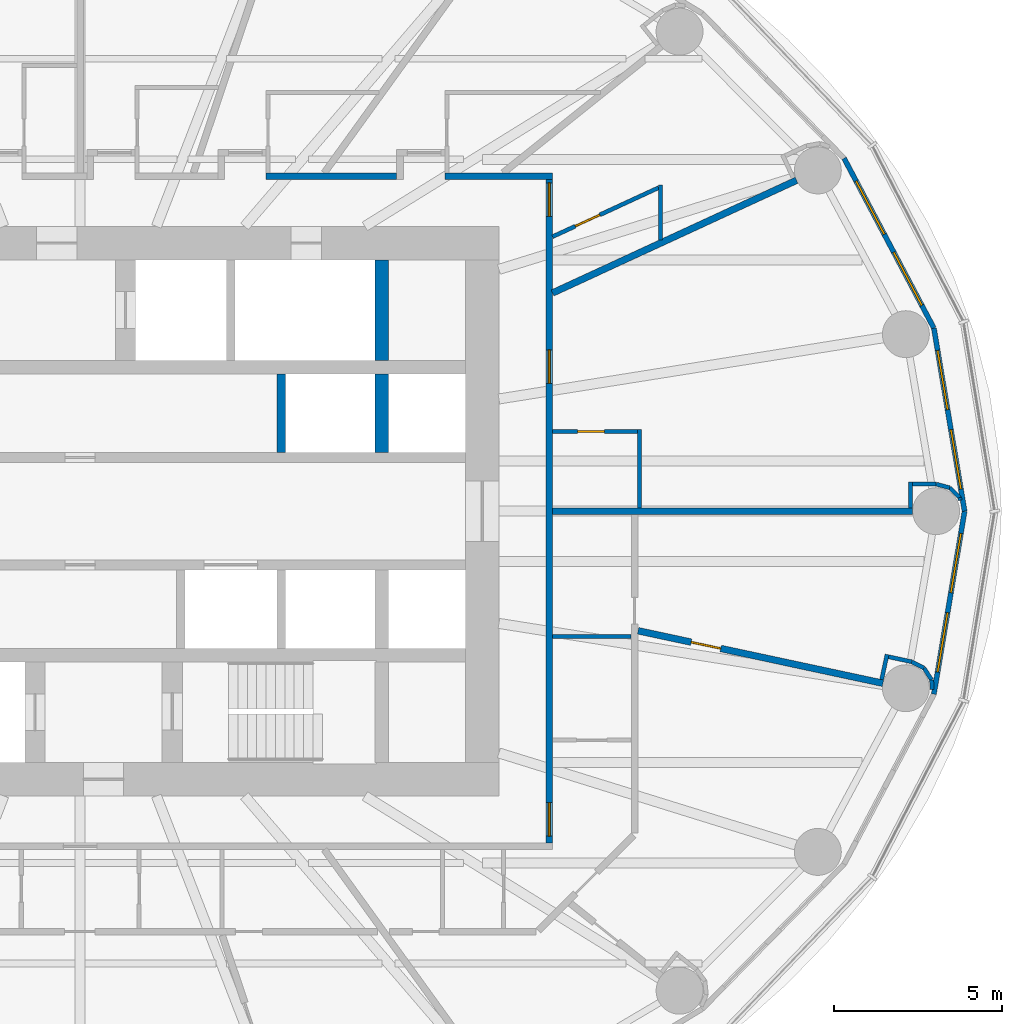
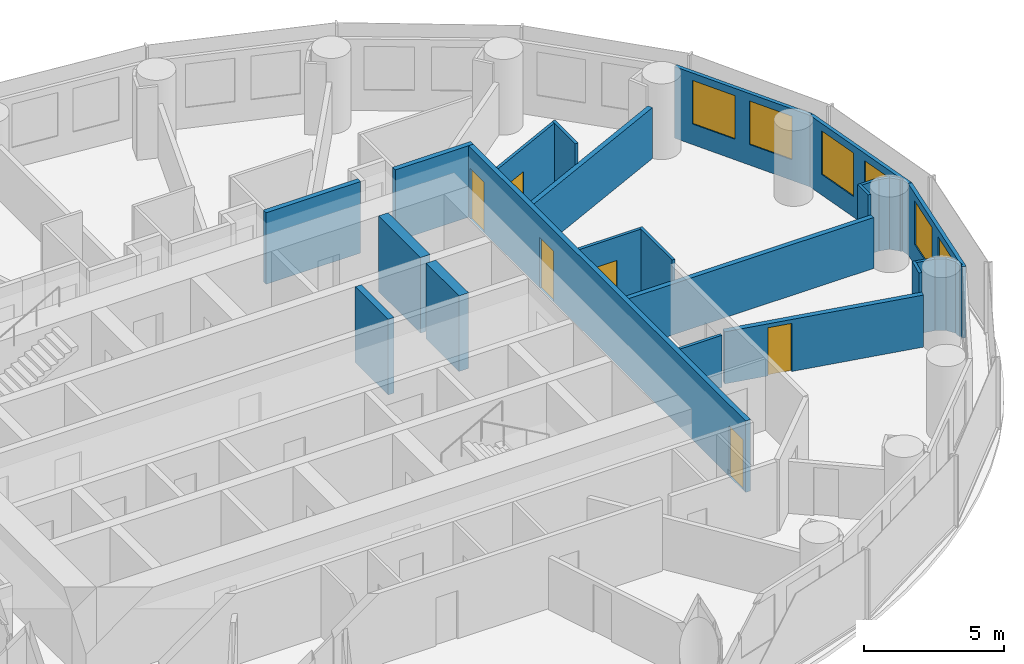
# One storey, part 10 of 14: 27 walls, 6 doors, 6 windows, 12 openings.
"""IFC4 building model written with IfcOpenShell, lengths in metres."""

import ifcopenshell
import ifcopenshell.guid

model = None  # the IFC model being written
_history = None  # IfcOwnerHistory: only IFC2X3 demands one
_inside = {}  # id of a spatial element -> (the spatial element, [elements in it])
_under = {}  # id of a project, library or spatial element -> (it, [spatial elements below it])
_declared = {}  # id of a project -> (the project, [libraries it declares])
_typed = {}  # id of a type object -> (the type object, [elements of that type])
_made_of = {}  # id of a material, layer set ... -> (it, [elements and type objects made of it])


def new_model(schema):
    """Start an empty IFC model of exactly this schema.

    Asked for "IFC4X3", IfcOpenShell would pick the latest addendum, in which some entities
    have other attributes; the version numbers below select the first issue.
    IFC2X3 requires an IfcOwnerHistory on every rooted entity: one is made here for all.
    """
    global model, _history
    if schema == "IFC4X3":
        model = ifcopenshell.file(schema_version=(4, 3, 0, 0))
    else:
        model = ifcopenshell.file(schema=schema)
    _inside.clear()
    _under.clear()
    _declared.clear()
    _typed.clear()
    _made_of.clear()
    _history = None
    if model.schema == "IFC2X3":
        org = make("IfcOrganization", Name="unknown")
        user = make(
            "IfcPersonAndOrganization",
            ThePerson=make("IfcPerson", FamilyName="unknown"),
            TheOrganization=org,
        )
        app = make(
            "IfcApplication",
            ApplicationDeveloper=org,
            Version="unknown",
            ApplicationFullName="unknown",
            ApplicationIdentifier="unknown",
        )
        _history = make(
            "IfcOwnerHistory",
            OwningUser=user,
            OwningApplication=app,
            ChangeAction="ADDED",
            CreationDate=0,
        )
    return model


def make(cls, **values):
    """One entity of the class cls with the attributes given. An attribute that is None is left unset."""
    return model.create_entity(
        cls, **{name: value for name, value in values.items() if value is not None}
    )


def rooted(cls, **values):
    """An entity with a GlobalId (a new one), such as an element, a storey or a relation."""
    return make(cls, GlobalId=ifcopenshell.guid.new(), OwnerHistory=_history, **values)


def si_unit(unit_type, name, prefix=None):
    """IfcSIUnit, for example si_unit("LENGTHUNIT", "METRE", prefix="MILLI")."""
    return make("IfcSIUnit", UnitType=unit_type, Prefix=prefix, Name=name)


def assignment(units):
    """IfcUnitAssignment: the units of a project."""
    return None if units is None else make("IfcUnitAssignment", Units=units)


def point(xyz):
    """IfcCartesianPoint."""
    return None if xyz is None else make("IfcCartesianPoint", Coordinates=xyz)


def direction(xyz):
    """IfcDirection."""
    return None if xyz is None else make("IfcDirection", DirectionRatios=xyz)


def frame(location, z_axis=None, x_axis=None):
    """IfcAxis2Placement3D, a coordinate frame: its origin and axes. An axis left out is left unset."""
    return make(
        "IfcAxis2Placement3D",
        Location=point(location),
        Axis=direction(z_axis),
        RefDirection=direction(x_axis),
    )


def frame_2d(location, x_axis=None):
    """IfcAxis2Placement2D, a coordinate frame in the plane: its origin and x axis."""
    return make(
        "IfcAxis2Placement2D", Location=point(location), RefDirection=direction(x_axis)
    )


def origin():
    """The frame at (0, 0, 0) with its axes left unset."""
    return frame((0.0, 0.0, 0.0))


def place(relative_to, where):
    """IfcLocalPlacement: puts the frame where relative to a parent placement (None: the world)."""
    return make(
        "IfcLocalPlacement", PlacementRelTo=relative_to, RelativePlacement=where
    )


def context(
    kind, dimensions, precision=None, world=None, true_north=None, identifier=None
):
    """IfcGeometricRepresentationContext, for example the 3D "Model" context."""
    return make(
        "IfcGeometricRepresentationContext",
        ContextIdentifier=identifier,
        ContextType=kind,
        CoordinateSpaceDimension=dimensions,
        Precision=precision,
        WorldCoordinateSystem=world,
        TrueNorth=true_north,
    )


def subcontext(parent, identifier, kind, view, scale=None):
    """IfcGeometricRepresentationSubContext, for example "Body" below "Model"."""
    return make(
        "IfcGeometricRepresentationSubContext",
        ContextIdentifier=identifier,
        ContextType=kind,
        ParentContext=parent,
        TargetScale=scale,
        TargetView=view,
    )


def project(units=None, contexts=None):
    """IfcProject with its units and contexts."""
    return rooted(
        "IfcProject",
        Name="project",
        RepresentationContexts=contexts,
        UnitsInContext=assignment(units),
    )


def spatial(cls, under=None, at=None, **own):
    """A site, building, storey or space (cls), placed at a placement, below another one or the project."""
    s = rooted(cls, ObjectPlacement=at, **own)
    if under is not None:
        _under.setdefault(under.id(), (under, []))[1].append(s)
    return s


def profile(cls, at=None, kind="AREA", **sizes):
    """A parametric profile (cls). Its sizes go by their IFC names, for example OverallWidth=200.0."""
    return make(cls, ProfileType=kind, Position=at, **sizes)


def rectangle(**sizes):
    """IfcRectangleProfileDef."""
    return profile("IfcRectangleProfileDef", **sizes)


def extrude(swept, where, along, depth):
    """IfcExtrudedAreaSolid: the profile swept, set in the frame where, extruded along a direction by depth."""
    return make(
        "IfcExtrudedAreaSolid",
        SweptArea=swept,
        Position=where,
        ExtrudedDirection=direction(along),
        Depth=depth,
    )


def shape(context_of_items, identifier, shape_type, items):
    """IfcShapeRepresentation: the items that make up one representation, for example the "Body"."""
    return make(
        "IfcShapeRepresentation",
        ContextOfItems=context_of_items,
        RepresentationIdentifier=identifier,
        RepresentationType=shape_type,
        Items=items,
    )


def material(Name=None, Category=None):
    """IfcMaterial."""
    return make("IfcMaterial", Name=Name, Category=Category)


def layer(
    of_material, thickness, ventilated=None, Name=None, Category=None, Priority=None
):
    """IfcMaterialLayer: one layer of a wall or slab, of a material (None: an air gap)."""
    return make(
        "IfcMaterialLayer",
        Material=of_material,
        LayerThickness=thickness,
        IsVentilated=ventilated,
        Name=Name,
        Category=Category,
        Priority=Priority,
    )


def layer_set(layers, Name=None):
    """IfcMaterialLayerSet."""
    return make("IfcMaterialLayerSet", MaterialLayers=layers, LayerSetName=Name)


def made_of(thing, what):
    """Note that an element or type object is made of a material, layer set ...; save() writes the relation."""
    if what is not None:
        _made_of.setdefault(what.id(), (what, []))[1].append(thing)
    return thing


def type_object(cls, material=None, **own):
    """A type object (cls), such as IfcWallType, which elements share."""
    return made_of(rooted(cls, **own), material)


def element(
    cls,
    number,
    at=None,
    inside=None,
    cuts=None,
    type_object=None,
    material=None,
    context=None,
    identifier="Body",
    shape_type=None,
    held_by="IfcProductDefinitionShape",
    body=None,
    shapes=None,
    **own,
):
    """One element of the class cls, such as IfcWall. Its Tag is "e" and its number.

    at: its placement. inside: the storey or other place that contains it. cuts: it is an
    opening in that element (IfcRelVoidsElement). A single representation is given by context,
    identifier, shape_type and body (its items); several are given by shapes. held_by: the class
    of the entity that holds the representations. save() writes the other relations.
    """
    e = rooted(cls, Tag="e%d" % number, ObjectPlacement=at, **own)
    if body is not None:
        shapes = [shape(context, identifier, shape_type, body)]
    if shapes is not None:
        e.Representation = make(held_by, Representations=shapes)
    if inside is not None:
        _inside.setdefault(inside.id(), (inside, []))[1].append(e)
    if cuts is not None:
        rooted(
            "IfcRelVoidsElement", RelatingBuildingElement=cuts, RelatedOpeningElement=e
        )
    if type_object is not None:
        _typed.setdefault(type_object.id(), (type_object, []))[1].append(e)
    return made_of(e, material)


def fill(opening, filler):
    """IfcRelFillsElement: the door or window that sits in an opening."""
    return rooted(
        "IfcRelFillsElement",
        RelatingOpeningElement=opening,
        RelatedBuildingElement=filler,
    )


def aggregate(whole, parts):
    """IfcRelAggregates: a whole, such as a stair, and the parts it consists of."""
    return rooted("IfcRelAggregates", RelatingObject=whole, RelatedObjects=parts)


def save(model, path):
    """Write the relations noted so far, then the file.

    IfcRelAggregates (storeys below a building ...), IfcRelContainedInSpatialStructure (elements
    in a storey), IfcRelDefinesByType, IfcRelAssociatesMaterial and IfcRelDeclares: one each for
    every whole, place, type object, material and project.
    """
    for whole, parts in _under.values():
        aggregate(whole, parts)
    for where, things in _inside.values():
        rooted(
            "IfcRelContainedInSpatialStructure",
            RelatedElements=things,
            RelatingStructure=where,
        )
    for kind, things in _typed.values():
        rooted("IfcRelDefinesByType", RelatedObjects=things, RelatingType=kind)
    for what, things in _made_of.values():
        rooted("IfcRelAssociatesMaterial", RelatedObjects=things, RelatingMaterial=what)
    for by, libraries in _declared.values():
        rooted("IfcRelDeclares", RelatingContext=by, RelatedDefinitions=libraries)
    model.write(path)


model = new_model("IFC4")

# Units and contexts
model_context = context("Model", 3, precision=1e-05, world=origin(), true_north=direction((0.0, 1.0)))
body_context = subcontext(model_context, "Body", "Model", "MODEL_VIEW")
ifc_project = project(units=[si_unit("LENGTHUNIT", "METRE"), si_unit("AREAUNIT", "SQUARE_METRE"), si_unit("VOLUMEUNIT", "CUBIC_METRE"), si_unit("PLANEANGLEUNIT", "RADIAN"), si_unit("MASSUNIT", "GRAM", prefix="KILO")], contexts=[model_context])

# Site, building, storey
site_placement = place(None, origin())
site = spatial("IfcSite", under=ifc_project, at=site_placement, CompositionType="ELEMENT")
building_placement = place(site_placement, origin())
building = spatial("IfcBuilding", under=site, at=building_placement, Name="Hankou Lantern Tower", CompositionType="ELEMENT")
storey_placement = place(building_placement, frame((0.0, 0.0, 87.0)))
storey = spatial("IfcBuildingStorey", under=building, at=storey_placement, Name="L22", CompositionType="ELEMENT", Elevation=87.0)

# Walls
ifc_material_1 = material(Name="Concrete C60", Category="concrete")
ifc_layer_1 = layer(ifc_material_1, 0.39990234375)
ifc_layer_set_1 = layer_set([ifc_layer_1], Name="Concrete C60")
wall_type_1 = type_object("IfcWallType", Name="CW4 CORE CROSS WALL 400", PredefinedType="SHEAR", material=ifc_layer_set_1)
wall_1_placement = place(storey_placement, frame((9.0, 4.5, 0.0), z_axis=(0.0, 0.0, 1.0), x_axis=(0.0, 1.0, 0.0)))
element("IfcWall", 1, at=wall_1_placement, inside=storey, type_object=wall_type_1, Name="Core strip wall L22", PredefinedType="SHEAR", context=body_context, shape_type="SweptSolid", body=[
    extrude(rectangle(XDim=3.0, YDim=0.39990234375, at=frame_2d((1.5, 0.0))), origin(), (0.0, 0.0, 1.0), 3.300048828125),
])
wall_2_placement = place(storey_placement, frame((9.0, 1.75, 0.0), z_axis=(0.0, 0.0, 1.0), x_axis=(0.0, 1.0, 0.0)))
element("IfcWall", 2, at=wall_2_placement, inside=storey, type_object=wall_type_1, Name="Core strip wall L22", PredefinedType="SHEAR", context=body_context, shape_type="SweptSolid", body=[
    extrude(rectangle(XDim=2.35009765625, YDim=0.39990234375, at=frame_2d((1.175048828125, 0.0))), origin(), (0.0, 0.0, 1.0), 3.300048828125),
])

# Wall, openings, windows
ifc_material_2 = material(Name="Aluminium spandrel panel on steel studs", Category="steel")
ifc_layer_2 = layer(ifc_material_2, 0.14990234375)
ifc_layer_set_2 = layer_set([ifc_layer_2], Name="Aluminium spandrel panel on steel studs")
wall_type_2 = type_object("IfcWallType", Name="EW1 INNER SKIN WALL 150", PredefinedType="ELEMENTEDWALL", material=ifc_layer_set_2)
wall_3_placement = place(storey_placement, frame((26.39990234375, 0.0, 0.0), z_axis=(0.0, 0.0, 1.0), x_axis=(-0.165642551694, 0.986185857264, 0.0)))
wall_3 = element("IfcWall", 3, at=wall_3_placement, inside=storey, type_object=wall_type_2, Name="Inner skin R01-R02 L22", PredefinedType="ELEMENTEDWALL", context=body_context, shape_type="SweptSolid", body=[
    extrude(rectangle(XDim=5.538818359375, YDim=0.14990234375, at=frame_2d((2.76953125, 0.0))), origin(), (0.0, 0.0, 1.0), 3.1201171875),
])
opening_1_placement = place(wall_3_placement, frame((0.66943359375, 0.0, 0.89990234375)))
opening_1 = element("IfcOpeningElement", 4, at=opening_1_placement, cuts=wall_3, Name="Opening W1", PredefinedType="OPENING", context=body_context, shape_type="SweptSolid", body=[
    extrude(rectangle(XDim=1.800048828125, YDim=1.89990234375, at=frame_2d((0.89990234375, 0.949951171875))), frame((0.0, 0.0849609375, 0.0), z_axis=(0.0, -1.0, 0.0), x_axis=(1.0, 0.0, 0.0)), (0.0, 0.0, 1.0), 0.169921875),
])
opening_2_placement = place(wall_3_placement, frame((3.069580078125, 0.0, 0.89990234375)))
opening_2 = element("IfcOpeningElement", 5, at=opening_2_placement, cuts=wall_3, Name="Opening W1", PredefinedType="OPENING", context=body_context, shape_type="SweptSolid", body=[
    extrude(rectangle(XDim=1.800048828125, YDim=1.89990234375, at=frame_2d((0.89990234375, 0.949951171875))), frame((0.0, 0.0849609375, 0.0), z_axis=(0.0, -1.0, 0.0), x_axis=(1.0, 0.0, 0.0)), (0.0, 0.0, 1.0), 0.169921875),
])
ifc_material_3 = material(Name="Aluminium framed double glazed window", Category="aluminium")
window_type = type_object("IfcWindowType", Name="W1 GUEST ROOM WINDOW 1800X1900", PartitioningType="DOUBLE_PANEL_VERTICAL", PredefinedType="WINDOW", material=ifc_material_3)
window_1_placement = place(opening_1_placement, origin())
window_1 = element("IfcWindow", 6, at=window_1_placement, inside=storey, type_object=window_type, Name="Window R01.1 L22", OverallHeight=1.89990234375, OverallWidth=1.800048828125, PartitioningType="SINGLE_PANEL", PredefinedType="WINDOW", context=body_context, shape_type="SweptSolid", body=[
    extrude(rectangle(XDim=1.800048828125, YDim=1.89990234375, at=frame_2d((0.89990234375, 0.949951171875))), frame((0.0, 0.030029296875, 0.0), z_axis=(0.0, -1.0, 0.0), x_axis=(1.0, 0.0, 0.0)), (0.0, 0.0, 1.0), 0.06005859375),
])
fill(opening_1, window_1)
window_2_placement = place(opening_2_placement, origin())
window_2 = element("IfcWindow", 7, at=window_2_placement, inside=storey, type_object=window_type, Name="Window R01.2 L22", OverallHeight=1.89990234375, OverallWidth=1.800048828125, PartitioningType="SINGLE_PANEL", PredefinedType="WINDOW", context=body_context, shape_type="SweptSolid", body=[
    extrude(rectangle(XDim=1.800048828125, YDim=1.89990234375, at=frame_2d((0.89990234375, 0.949951171875))), frame((0.0, 0.030029296875, 0.0), z_axis=(0.0, -1.0, 0.0), x_axis=(1.0, 0.0, 0.0)), (0.0, 0.0, 1.0), 0.06005859375),
])
fill(opening_2, window_2)

wall_4_placement = place(storey_placement, frame((25.482421875, 5.46240234375, 0.0), z_axis=(0.0, 0.0, 1.0), x_axis=(-0.467296867008, 0.884100468321, 0.0)))
wall_4 = element("IfcWall", 8, at=wall_4_placement, inside=storey, type_object=wall_type_2, Name="Inner skin R02-R03 L22", PredefinedType="ELEMENTEDWALL", context=body_context, shape_type="SweptSolid", body=[
    extrude(rectangle(XDim=5.734375, YDim=0.14990234375, at=frame_2d((2.8671875, 0.0))), origin(), (0.0, 0.0, 1.0), 3.1201171875),
])
opening_3_placement = place(wall_4_placement, frame((0.76708984375, 0.0, 0.89990234375)))
opening_3 = element("IfcOpeningElement", 9, at=opening_3_placement, cuts=wall_4, Name="Opening W1", PredefinedType="OPENING", context=body_context, shape_type="SweptSolid", body=[
    extrude(rectangle(XDim=1.800048828125, YDim=1.89990234375, at=frame_2d((0.89990234375, 0.949951171875))), frame((0.0, 0.0849609375, 0.0), z_axis=(0.0, -1.0, 0.0), x_axis=(1.0, 0.0, 0.0)), (0.0, 0.0, 1.0), 0.169921875),
])
opening_4_placement = place(wall_4_placement, frame((3.167236328125, 0.0, 0.89990234375)))
opening_4 = element("IfcOpeningElement", 10, at=opening_4_placement, cuts=wall_4, Name="Opening W1", PredefinedType="OPENING", context=body_context, shape_type="SweptSolid", body=[
    extrude(rectangle(XDim=1.800048828125, YDim=1.89990234375, at=frame_2d((0.89990234375, 0.949951171875))), frame((0.0, 0.0849609375, 0.0), z_axis=(0.0, -1.0, 0.0), x_axis=(1.0, 0.0, 0.0)), (0.0, 0.0, 1.0), 0.169921875),
])
window_3_placement = place(opening_3_placement, origin())
window_3 = element("IfcWindow", 11, at=window_3_placement, inside=storey, type_object=window_type, Name="Window R02.1 L22", OverallHeight=1.89990234375, OverallWidth=1.800048828125, PartitioningType="SINGLE_PANEL", PredefinedType="WINDOW", context=body_context, shape_type="SweptSolid", body=[
    extrude(rectangle(XDim=1.800048828125, YDim=1.89990234375, at=frame_2d((0.89990234375, 0.949951171875))), frame((0.0, 0.030029296875, 0.0), z_axis=(0.0, -1.0, 0.0), x_axis=(1.0, 0.0, 0.0)), (0.0, 0.0, 1.0), 0.06005859375),
])
fill(opening_3, window_3)
window_4_placement = place(opening_4_placement, origin())
window_4 = element("IfcWindow", 12, at=window_4_placement, inside=storey, type_object=window_type, Name="Window R02.2 L22", OverallHeight=1.89990234375, OverallWidth=1.800048828125, PartitioningType="SINGLE_PANEL", PredefinedType="WINDOW", context=body_context, shape_type="SweptSolid", body=[
    extrude(rectangle(XDim=1.800048828125, YDim=1.89990234375, at=frame_2d((0.89990234375, 0.949951171875))), frame((0.0, 0.030029296875, 0.0), z_axis=(0.0, -1.0, 0.0), x_axis=(1.0, 0.0, 0.0)), (0.0, 0.0, 1.0), 0.06005859375),
])
fill(opening_4, window_4)

wall_5_placement = place(storey_placement, frame((25.482421875, -5.46240234375, 0.0), z_axis=(0.0, 0.0, 1.0), x_axis=(0.165642551694, 0.986185857264, 0.0)))
wall_5 = element("IfcWall", 13, at=wall_5_placement, inside=storey, type_object=wall_type_2, Name="Inner skin R24-R01 L22", PredefinedType="ELEMENTEDWALL", context=body_context, shape_type="SweptSolid", body=[
    extrude(rectangle(XDim=5.538818359375, YDim=0.14990234375, at=frame_2d((2.76953125, 0.0))), origin(), (0.0, 0.0, 1.0), 3.1201171875),
])
opening_5_placement = place(wall_5_placement, frame((0.66943359375, 0.0, 0.89990234375)))
opening_5 = element("IfcOpeningElement", 14, at=opening_5_placement, cuts=wall_5, Name="Opening W1", PredefinedType="OPENING", context=body_context, shape_type="SweptSolid", body=[
    extrude(rectangle(XDim=1.800048828125, YDim=1.89990234375, at=frame_2d((0.89990234375, 0.949951171875))), frame((0.0, 0.0849609375, 0.0), z_axis=(0.0, -1.0, 0.0), x_axis=(1.0, 0.0, 0.0)), (0.0, 0.0, 1.0), 0.169921875),
])
opening_6_placement = place(wall_5_placement, frame((3.069580078125, 0.0, 0.89990234375)))
opening_6 = element("IfcOpeningElement", 15, at=opening_6_placement, cuts=wall_5, Name="Opening W1", PredefinedType="OPENING", context=body_context, shape_type="SweptSolid", body=[
    extrude(rectangle(XDim=1.800048828125, YDim=1.89990234375, at=frame_2d((0.89990234375, 0.949951171875))), frame((0.0, 0.0849609375, 0.0), z_axis=(0.0, -1.0, 0.0), x_axis=(1.0, 0.0, 0.0)), (0.0, 0.0, 1.0), 0.169921875),
])
window_5_placement = place(opening_5_placement, origin())
window_5 = element("IfcWindow", 16, at=window_5_placement, inside=storey, type_object=window_type, Name="Window R24.1 L22", OverallHeight=1.89990234375, OverallWidth=1.800048828125, PartitioningType="SINGLE_PANEL", PredefinedType="WINDOW", context=body_context, shape_type="SweptSolid", body=[
    extrude(rectangle(XDim=1.800048828125, YDim=1.89990234375, at=frame_2d((0.89990234375, 0.949951171875))), frame((0.0, 0.030029296875, 0.0), z_axis=(0.0, -1.0, 0.0), x_axis=(1.0, 0.0, 0.0)), (0.0, 0.0, 1.0), 0.06005859375),
])
fill(opening_5, window_5)
window_6_placement = place(opening_6_placement, origin())
window_6 = element("IfcWindow", 17, at=window_6_placement, inside=storey, type_object=window_type, Name="Window R24.2 L22", OverallHeight=1.89990234375, OverallWidth=1.800048828125, PartitioningType="SINGLE_PANEL", PredefinedType="WINDOW", context=body_context, shape_type="SweptSolid", body=[
    extrude(rectangle(XDim=1.800048828125, YDim=1.89990234375, at=frame_2d((0.89990234375, 0.949951171875))), frame((0.0, 0.030029296875, 0.0), z_axis=(0.0, -1.0, 0.0), x_axis=(1.0, 0.0, 0.0)), (0.0, 0.0, 1.0), 0.06005859375),
])
fill(opening_6, window_6)

# Walls
ifc_material_4 = material(Name="Masonry lightweight concrete block", Category="masonry")
ifc_layer_3 = layer(ifc_material_4, 0.199951171875)
ifc_layer_set_3 = layer_set([ifc_layer_3], Name="Masonry lightweight concrete block")
wall_type_3 = type_object("IfcWallType", Name="IW1 GUEST ROOM PARTY WALL 200", PredefinedType="PARTITIONING", material=ifc_layer_set_3)
wall_6_placement = place(storey_placement, frame((14.10009765625, 0.0, 0.0), z_axis=(0.0, 0.0, 1.0), x_axis=(1.0, 0.0, 0.0)))
element("IfcWall", 18, at=wall_6_placement, inside=storey, type_object=wall_type_3, Name="Party wall R01", PredefinedType="PARTITIONING", context=body_context, shape_type="SweptSolid", body=[
    extrude(rectangle(XDim=10.75, YDim=0.199951171875, at=frame_2d((5.375, 0.0))), origin(), (0.0, 0.0, 1.0), 2.219970703125),
])
wall_7_placement = place(storey_placement, frame((14.10009765625, 6.512451171875, 0.0), z_axis=(0.0, 0.0, 1.0), x_axis=(0.907832871056, 0.419332181247, 0.0)))
element("IfcWall", 19, at=wall_7_placement, inside=storey, type_object=wall_type_3, Name="Party wall R03", PredefinedType="PARTITIONING", context=body_context, shape_type="SweptSolid", body=[
    extrude(rectangle(XDim=8.02294921875, YDim=0.199951171875, at=frame_2d((4.011474609375, 0.0))), origin(), (0.0, 0.0, 1.0), 2.219970703125),
])

# Wall, openings, doors
ifc_material_5 = material(Name="Masonry lightweight concrete block", Category="masonry")
ifc_layer_4 = layer(ifc_material_5, 0.199951171875)
ifc_layer_set_4 = layer_set([ifc_layer_4], Name="Masonry lightweight concrete block")
wall_type_4 = type_object("IfcWallType", Name="IW2 CORRIDOR WALL 200", PredefinedType="PARTITIONING", material=ifc_layer_set_4)
wall_8_placement = place(storey_placement, frame((14.0, -9.89990234375, 0.0), z_axis=(0.0, 0.0, 1.0), x_axis=(0.0, 1.0, 0.0)))
wall_8 = element("IfcWall", 20, at=wall_8_placement, inside=storey, type_object=wall_type_4, Name="Corridor wall east", PredefinedType="PARTITIONING", context=body_context, shape_type="SweptSolid", body=[
    extrude(rectangle(XDim=19.7998046875, YDim=0.199951171875, at=frame_2d((9.89990234375, 0.0))), origin(), (0.0, 0.0, 1.0), 3.1201171875),
])
opening_7_placement = place(wall_8_placement, frame((0.20361328125, 0.0, 0.0)))
opening_7 = element("IfcOpeningElement", 21, at=opening_7_placement, cuts=wall_8, Name="Opening D2", PredefinedType="OPENING", context=body_context, shape_type="SweptSolid", body=[
    extrude(rectangle(XDim=1.0, YDim=2.199951171875, at=frame_2d((0.5, 1.10009765625))), frame((0.0, 0.10986328125, 0.0), z_axis=(0.0, -1.0, 0.0), x_axis=(1.0, 0.0, 0.0)), (0.0, 0.0, 1.0), 0.219970703125),
])
opening_8_placement = place(wall_8_placement, frame((13.715087890625, 0.0, 0.0)))
opening_8 = element("IfcOpeningElement", 22, at=opening_8_placement, cuts=wall_8, Name="Opening D2", PredefinedType="OPENING", context=body_context, shape_type="SweptSolid", body=[
    extrude(rectangle(XDim=1.0, YDim=2.199951171875, at=frame_2d((0.5, 1.10009765625))), frame((0.0, 0.10986328125, 0.0), z_axis=(0.0, -1.0, 0.0), x_axis=(1.0, 0.0, 0.0)), (0.0, 0.0, 1.0), 0.219970703125),
])
opening_9_placement = place(wall_8_placement, frame((18.697509765625, 0.0, 0.0)))
opening_9 = element("IfcOpeningElement", 23, at=opening_9_placement, cuts=wall_8, Name="Opening D1", PredefinedType="OPENING", context=body_context, shape_type="SweptSolid", body=[
    extrude(rectangle(XDim=1.0, YDim=2.199951171875, at=frame_2d((0.5, 1.10009765625))), frame((0.0, 0.10986328125, 0.0), z_axis=(0.0, -1.0, 0.0), x_axis=(1.0, 0.0, 0.0)), (0.0, 0.0, 1.0), 0.219970703125),
])
ifc_material_6 = material(Name="Steel door leaf", Category="steel")
door_type_1 = type_object("IfcDoorType", Name="D1 GUEST ROOM DOOR 1000X2200", OperationType="SINGLE_SWING_LEFT", PredefinedType="DOOR", material=ifc_material_6)
door_1_placement = place(opening_9_placement, origin())
door_1 = element("IfcDoor", 24, at=door_1_placement, inside=storey, type_object=door_type_1, Name="Guest room door 2209", OperationType="SINGLE_SWING_RIGHT", OverallHeight=2.199951171875, OverallWidth=1.0, PredefinedType="DOOR", context=body_context, shape_type="SweptSolid", body=[
    extrude(rectangle(XDim=1.0, YDim=2.199951171875, at=frame_2d((0.5, 1.10009765625))), frame((0.0, 0.02490234375, 0.0), z_axis=(0.0, -1.0, 0.0), x_axis=(1.0, 0.0, 0.0)), (0.0, 0.0, 1.0), 0.050048828125),
])
fill(opening_9, door_1)
ifc_material_7 = material(Name="Steel door leaf", Category="steel")
door_type_2 = type_object("IfcDoorType", Name="D2 SUITE DOOR 1000X2200", OperationType="SINGLE_SWING_LEFT", PredefinedType="DOOR", material=ifc_material_7)
door_2_placement = place(opening_7_placement, origin())
door_2 = element("IfcDoor", 25, at=door_2_placement, inside=storey, type_object=door_type_2, Name="Suite door 2207", OperationType="SINGLE_SWING_LEFT", OverallHeight=2.199951171875, OverallWidth=1.0, PredefinedType="DOOR", context=body_context, shape_type="SweptSolid", body=[
    extrude(rectangle(XDim=1.0, YDim=2.199951171875, at=frame_2d((0.5, 1.10009765625))), frame((0.0, 0.02490234375, 0.0), z_axis=(0.0, -1.0, 0.0), x_axis=(1.0, 0.0, 0.0)), (0.0, 0.0, 1.0), 0.050048828125),
])
fill(opening_7, door_2)
door_3_placement = place(opening_8_placement, origin())
door_3 = element("IfcDoor", 26, at=door_3_placement, inside=storey, type_object=door_type_2, Name="Suite door 2208", OperationType="SINGLE_SWING_RIGHT", OverallHeight=2.199951171875, OverallWidth=1.0, PredefinedType="DOOR", context=body_context, shape_type="SweptSolid", body=[
    extrude(rectangle(XDim=1.0, YDim=2.199951171875, at=frame_2d((0.5, 1.10009765625))), frame((0.0, 0.02490234375, 0.0), z_axis=(0.0, -1.0, 0.0), x_axis=(1.0, 0.0, 0.0)), (0.0, 0.0, 1.0), 0.050048828125),
])
fill(opening_8, door_3)

# Walls
wall_9_placement = place(storey_placement, frame((5.549072265625, 10.0, 0.0), z_axis=(0.0, 0.0, 1.0), x_axis=(1.0, 0.0, 0.0)))
element("IfcWall", 27, at=wall_9_placement, inside=storey, type_object=wall_type_4, Name="Corridor wall north", PredefinedType="PARTITIONING", context=body_context, shape_type="SweptSolid", body=[
    extrude(rectangle(XDim=3.89599609375, YDim=0.199951171875, at=frame_2d((1.947998046875, 0.0))), origin(), (0.0, 0.0, 1.0), 3.1201171875),
])
wall_10_placement = place(storey_placement, frame((10.885009765625, 10.0, 0.0), z_axis=(0.0, 0.0, 1.0), x_axis=(1.0, 0.0, 0.0)))
element("IfcWall", 28, at=wall_10_placement, inside=storey, type_object=wall_type_4, Name="Corridor wall north", PredefinedType="PARTITIONING", context=body_context, shape_type="SweptSolid", body=[
    extrude(rectangle(XDim=3.215087890625, YDim=0.199951171875, at=frame_2d((1.607421875, 0.0))), origin(), (0.0, 0.0, 1.0), 3.1201171875),
])
ifc_material_8 = material(Name="Masonry lightweight concrete block", Category="masonry")
ifc_layer_5 = layer(ifc_material_8, 0.1201171875)
ifc_layer_set_5 = layer_set([ifc_layer_5], Name="Masonry lightweight concrete block")
wall_type_5 = type_object("IfcWallType", Name="IW3 BATHROOM WALL 120", PredefinedType="PARTITIONING", material=ifc_layer_set_5)
wall_11_placement = place(storey_placement, frame((14.10009765625, -3.739501953125, 0.0), z_axis=(0.0, 0.0, 1.0), x_axis=(1.0, 0.0, 0.0)))
element("IfcWall", 29, at=wall_11_placement, inside=storey, type_object=wall_type_5, Name="Box wall 2207 4", PredefinedType="PARTITIONING", context=body_context, shape_type="SweptSolid", body=[
    extrude(rectangle(XDim=2.349853515625, YDim=0.1201171875, at=frame_2d((1.1748046875, 0.0))), origin(), (0.0, 0.0, 1.0), 2.27001953125),
])
wall_12_placement = place(storey_placement, frame((16.699951171875, 0.10009765625, 0.0), z_axis=(0.0, 0.0, 1.0), x_axis=(0.0, 1.0, 0.0)))
element("IfcWall", 30, at=wall_12_placement, inside=storey, type_object=wall_type_5, Name="Box wall 2208 1", PredefinedType="PARTITIONING", context=body_context, shape_type="SweptSolid", body=[
    extrude(rectangle(XDim=2.33984375, YDim=0.1201171875, at=frame_2d((1.169921875, 0.0))), origin(), (0.0, 0.0, 1.0), 3.1201171875),
])

# Wall, opening, door
wall_13_placement = place(storey_placement, frame((14.10009765625, 2.3798828125, 0.0), z_axis=(0.0, 0.0, 1.0), x_axis=(1.0, 0.0, 0.0)))
wall_13 = element("IfcWall", 31, at=wall_13_placement, inside=storey, type_object=wall_type_5, Name="Box wall 2208 1", PredefinedType="PARTITIONING", context=body_context, shape_type="SweptSolid", body=[
    extrude(rectangle(XDim=2.539794921875, YDim=0.1201171875, at=frame_2d((1.27001953125, 0.0))), origin(), (0.0, 0.0, 1.0), 3.1201171875),
])
opening_10_placement = place(wall_13_placement, frame((0.75, 0.0, 0.0)))
opening_10 = element("IfcOpeningElement", 32, at=opening_10_placement, cuts=wall_13, Name="Opening D3", PredefinedType="OPENING", context=body_context, shape_type="SweptSolid", body=[
    extrude(rectangle(XDim=0.800048828125, YDim=2.10009765625, at=frame_2d((0.39990234375, 1.050048828125))), frame((0.0, 0.070068359375, 0.0), z_axis=(0.0, -1.0, 0.0), x_axis=(1.0, 0.0, 0.0)), (0.0, 0.0, 1.0), 0.14013671875),
])
ifc_material_9 = material(Name="Timber door leaf", Category="wood")
door_type_3 = type_object("IfcDoorType", Name="D3 BATHROOM DOOR 800X2100", OperationType="SINGLE_SWING_LEFT", PredefinedType="DOOR", material=ifc_material_9)
door_4_placement = place(opening_10_placement, origin())
door_4 = element("IfcDoor", 33, at=door_4_placement, inside=storey, type_object=door_type_3, Name="Junior suite 2208 bathroom door", OperationType="SINGLE_SWING_LEFT", OverallHeight=2.10009765625, OverallWidth=0.800048828125, PredefinedType="DOOR", context=body_context, shape_type="SweptSolid", body=[
    extrude(rectangle(XDim=0.800048828125, YDim=2.10009765625, at=frame_2d((0.39990234375, 1.050048828125))), frame((0.0, 0.02490234375, 0.0), z_axis=(0.0, -1.0, 0.0), x_axis=(1.0, 0.0, 0.0)), (0.0, 0.0, 1.0), 0.050048828125),
])
fill(opening_10, door_4)

# Wall
wall_14_placement = place(storey_placement, frame((17.32275390625, 8.10107421875, 0.0), z_axis=(0.0, 0.0, 1.0), x_axis=(0.0, 1.0, 0.0)))
element("IfcWall", 34, at=wall_14_placement, inside=storey, type_object=wall_type_5, Name="Box wall 2209 1", PredefinedType="PARTITIONING", context=body_context, shape_type="SweptSolid", body=[
    extrude(rectangle(XDim=1.639892578125, YDim=0.1201171875, at=frame_2d((0.81982421875, 0.0))), origin(), (0.0, 0.0, 1.0), 3.1201171875),
])

# Wall, opening, door
wall_15_placement = place(storey_placement, frame((14.10009765625, 8.192626953125, 0.0), z_axis=(0.0, 0.0, 1.0), x_axis=(0.907836493557, 0.419324338628, 0.0)))
wall_15 = element("IfcWall", 35, at=wall_15_placement, inside=storey, type_object=wall_type_5, Name="Box wall 2209 1", PredefinedType="PARTITIONING", context=body_context, shape_type="SweptSolid", body=[
    extrude(rectangle(XDim=3.48974609375, YDim=0.1201171875, at=frame_2d((1.744873046875, 0.0))), origin(), (0.0, 0.0, 1.0), 3.1201171875),
])
opening_11_placement = place(wall_15_placement, frame((0.75, 0.0, 0.0)))
opening_11 = element("IfcOpeningElement", 36, at=opening_11_placement, cuts=wall_15, Name="Opening D3", PredefinedType="OPENING", context=body_context, shape_type="SweptSolid", body=[
    extrude(rectangle(XDim=0.800048828125, YDim=2.10009765625, at=frame_2d((0.39990234375, 1.050048828125))), frame((0.0, 0.070068359375, 0.0), z_axis=(0.0, -1.0, 0.0), x_axis=(1.0, 0.0, 0.0)), (0.0, 0.0, 1.0), 0.14013671875),
])
door_5_placement = place(opening_11_placement, origin())
door_5 = element("IfcDoor", 37, at=door_5_placement, inside=storey, type_object=door_type_3, Name="En-suite bathroom 2209 door", OperationType="SINGLE_SWING_LEFT", OverallHeight=2.10009765625, OverallWidth=0.800048828125, PredefinedType="DOOR", context=body_context, shape_type="SweptSolid", body=[
    extrude(rectangle(XDim=0.800048828125, YDim=2.10009765625, at=frame_2d((0.39990234375, 1.050048828125))), frame((0.0, 0.02490234375, 0.0), z_axis=(0.0, -1.0, 0.0), x_axis=(1.0, 0.0, 0.0)), (0.0, 0.0, 1.0), 0.050048828125),
])
fill(opening_11, door_5)

# Walls
ifc_material_10 = material(Name="Masonry lightweight concrete block", Category="masonry")
ifc_layer_6 = layer(ifc_material_10, 0.1201171875)
ifc_layer_set_6 = layer_set([ifc_layer_6], Name="Masonry lightweight concrete block")
wall_type_6 = type_object("IfcWallType", Name="IW4 PARTITION 120", PredefinedType="PARTITIONING", material=ifc_layer_set_6)
wall_16_placement = place(storey_placement, frame((24.7900390625, 0.10009765625, 0.0), z_axis=(0.0, 0.0, 1.0), x_axis=(0.0, 1.0, 0.0)))
element("IfcWall", 38, at=wall_16_placement, inside=storey, type_object=wall_type_6, Name="Column casing R01 return", PredefinedType="PARTITIONING", context=body_context, shape_type="SweptSolid", body=[
    extrude(rectangle(XDim=0.767333984375, YDim=0.1201171875, at=frame_2d((0.3837890625, 0.0))), origin(), (0.0, 0.0, 1.0), 3.1201171875),
])
wall_17_placement = place(storey_placement, frame((24.85009765625, 0.8076171875, 0.0), z_axis=(0.0, 0.0, 1.0), x_axis=(1.0, 0.0, 0.0)))
element("IfcWall", 39, at=wall_17_placement, inside=storey, type_object=wall_type_6, Name="Column casing R01", PredefinedType="PARTITIONING", context=body_context, shape_type="SweptSolid", body=[
    extrude(rectangle(XDim=0.699951171875, YDim=0.1201171875, at=frame_2d((0.35009765625, 0.0))), origin(), (0.0, 0.0, 1.0), 3.1201171875),
])
wall_18_placement = place(storey_placement, frame((25.550048828125, 0.8076171875, 0.0), z_axis=(0.0, 0.0, 1.0), x_axis=(0.965807183573, -0.2592614205, 0.0)))
element("IfcWall", 40, at=wall_18_placement, inside=storey, type_object=wall_type_6, Name="Column casing R01", PredefinedType="PARTITIONING", context=body_context, shape_type="SweptSolid", body=[
    extrude(rectangle(XDim=0.418212890625, YDim=0.1201171875, at=frame_2d((0.208984375, 0.0))), origin(), (0.0, 0.0, 1.0), 3.1201171875),
])
wall_19_placement = place(storey_placement, frame((25.953857421875, 0.69921875, 0.0), z_axis=(0.0, 0.0, 1.0), x_axis=(0.707106781187, -0.707106781187, 0.0)))
element("IfcWall", 41, at=wall_19_placement, inside=storey, type_object=wall_type_6, Name="Column casing R01", PredefinedType="PARTITIONING", context=body_context, shape_type="SweptSolid", body=[
    extrude(rectangle(XDim=0.417724609375, YDim=0.1201171875, at=frame_2d((0.208984375, 0.0))), origin(), (0.0, 0.0, 1.0), 3.1201171875),
])
wall_20_placement = place(storey_placement, frame((26.249267578125, 0.40380859375, 0.0), z_axis=(0.0, 0.0, 1.0), x_axis=(0.259754282609, -0.965674744759, 0.0)))
element("IfcWall", 42, at=wall_20_placement, inside=storey, type_object=wall_type_6, Name="Column casing R01", PredefinedType="PARTITIONING", context=body_context, shape_type="SweptSolid", body=[
    extrude(rectangle(XDim=0.079833984375, YDim=0.1201171875, at=frame_2d((0.0400390625, 0.0))), origin(), (0.0, 0.0, 1.0), 3.1201171875),
])
wall_21_placement = place(storey_placement, frame((23.9248046875, -5.026123046875, 0.0), z_axis=(0.0, 0.0, 1.0), x_axis=(0.209681192172, 0.977769808109, 0.0)))
element("IfcWall", 43, at=wall_21_placement, inside=storey, type_object=wall_type_6, Name="Column casing R24 return", PredefinedType="PARTITIONING", context=body_context, shape_type="SweptSolid", body=[
    extrude(rectangle(XDim=0.767333984375, YDim=0.1201171875, at=frame_2d((0.3837890625, 0.0))), origin(), (0.0, 0.0, 1.0), 3.1201171875),
])
wall_22_placement = place(storey_placement, frame((24.1318359375, -4.346923828125, 0.0), z_axis=(0.0, 0.0, 1.0), x_axis=(0.977776882509, -0.209648200638, 0.0)))
element("IfcWall", 44, at=wall_22_placement, inside=storey, type_object=wall_type_6, Name="Column casing R24", PredefinedType="PARTITIONING", context=body_context, shape_type="SweptSolid", body=[
    extrude(rectangle(XDim=0.699951171875, YDim=0.1201171875, at=frame_2d((0.35009765625, 0.0))), origin(), (0.0, 0.0, 1.0), 3.1201171875),
])
for number, where, z_axis, x_axis, name in (
    (45, (24.816162109375, -4.49365234375, 0.0), (0.0, 0.0, 1.0), (0.890303208847, -0.455368198623, 0.0), "Column casing R24"),
    (46, (25.1884765625, -4.68408203125, 0.0), (0.0, 0.0, 1.0), (0.543057568894, -0.839695466742, 0.0), "Column casing R24"),
):
    element("IfcWall", number, at=place(storey_placement, frame(where, z_axis=z_axis, x_axis=x_axis)), inside=storey, type_object=wall_type_6, Name=name, PredefinedType="PARTITIONING", context=body_context, shape_type="SweptSolid", body=[
        extrude(rectangle(XDim=0.418212890625, YDim=0.1201171875, at=frame_2d((0.208984375, 0.0))), origin(), (0.0, 0.0, 1.0), 3.1201171875),
    ])
wall_23_placement = place(storey_placement, frame((25.41552734375, -5.03515625, 0.0), z_axis=(0.0, 0.0, 1.0), x_axis=(0.050406329159, -0.998728793007, 0.0)))
element("IfcWall", 47, at=wall_23_placement, inside=storey, type_object=wall_type_6, Name="Column casing R24", PredefinedType="PARTITIONING", context=body_context, shape_type="SweptSolid", body=[
    extrude(rectangle(XDim=0.28564453125, YDim=0.1201171875, at=frame_2d((0.142822265625, 0.0))), origin(), (0.0, 0.0, 1.0), 3.1201171875),
])

# Wall, opening, door
ifc_material_11 = material(Name="Masonry lightweight concrete block", Category="masonry")
ifc_layer_7 = layer(ifc_material_11, 0.199951171875)
ifc_layer_set_7 = layer_set([ifc_layer_7], Name="Masonry lightweight concrete block")
wall_type_7 = type_object("IfcWallType", Name="IW6 SUITE PARTITION 200", PredefinedType="PARTITIONING", material=ifc_layer_set_7)
wall_24_placement = place(storey_placement, frame((16.65478515625, -3.570068359375, 0.0), z_axis=(0.0, 0.0, 1.0), x_axis=(0.977790461522, -0.209584859557, 0.0)))
wall_24 = element("IfcWall", 48, at=wall_24_placement, inside=storey, type_object=wall_type_7, Name="Suite partition R24", PredefinedType="PARTITIONING", context=body_context, shape_type="SweptSolid", body=[
    extrude(rectangle(XDim=7.473876953125, YDim=0.199951171875, at=frame_2d((3.73681640625, 0.0))), origin(), (0.0, 0.0, 1.0), 2.27001953125),
])
opening_12_placement = place(wall_24_placement, frame((1.62060546875, 0.0, 0.0)))
opening_12 = element("IfcOpeningElement", 49, at=opening_12_placement, cuts=wall_24, Name="Opening D27", PredefinedType="OPENING", context=body_context, shape_type="SweptSolid", body=[
    extrude(rectangle(XDim=0.89990234375, YDim=2.10009765625, at=frame_2d((0.449951171875, 1.050048828125))), frame((0.0, 0.10986328125, 0.0), z_axis=(0.0, -1.0, 0.0), x_axis=(1.0, 0.0, 0.0)), (0.0, 0.0, 1.0), 0.219970703125),
])
ifc_material_12 = material(Name="Timber door leaf", Category="wood")
door_type_4 = type_object("IfcDoorType", Name="D27 INTERNAL DOOR 900X2100", OperationType="SINGLE_SWING_LEFT", PredefinedType="DOOR", material=ifc_material_12)
door_6_placement = place(opening_12_placement, origin())
door_6 = element("IfcDoor", 50, at=door_6_placement, inside=storey, type_object=door_type_4, Name="Family suite 2207 second bedroom door", OperationType="SINGLE_SWING_LEFT", OverallHeight=2.10009765625, OverallWidth=0.89990234375, PredefinedType="DOOR", context=body_context, shape_type="SweptSolid", body=[
    extrude(rectangle(XDim=0.89990234375, YDim=2.10009765625, at=frame_2d((0.449951171875, 1.050048828125))), frame((0.0, 0.02490234375, 0.0), z_axis=(0.0, -1.0, 0.0), x_axis=(1.0, 0.0, 0.0)), (0.0, 0.0, 1.0), 0.050048828125),
])
fill(opening_12, door_6)

# Wall
ifc_material_13 = material(Name="Masonry autoclaved aerated concrete block", Category="masonry")
ifc_layer_8 = layer(ifc_material_13, 0.25)
ifc_layer_set_8 = layer_set([ifc_layer_8], Name="Masonry autoclaved aerated concrete block")
wall_type_8 = type_object("IfcWallType", Name="SW1 SHAFT BLOCK WALL 250", PredefinedType="PARTITIONING", material=ifc_layer_set_8)
wall_25_placement = place(storey_placement, frame((6.0, 1.75, 0.0), z_axis=(0.0, 0.0, 1.0), x_axis=(0.0, 1.0, 0.0)))
element("IfcWall", 51, at=wall_25_placement, inside=storey, type_object=wall_type_8, Name="Lift shaft wall L22", PredefinedType="PARTITIONING", context=body_context, shape_type="SweptSolid", body=[
    extrude(rectangle(XDim=2.35009765625, YDim=0.25, at=frame_2d((1.175048828125, 0.0))), origin(), (0.0, 0.0, 1.0), 3.300048828125),
])

save(model, "model.ifc")
